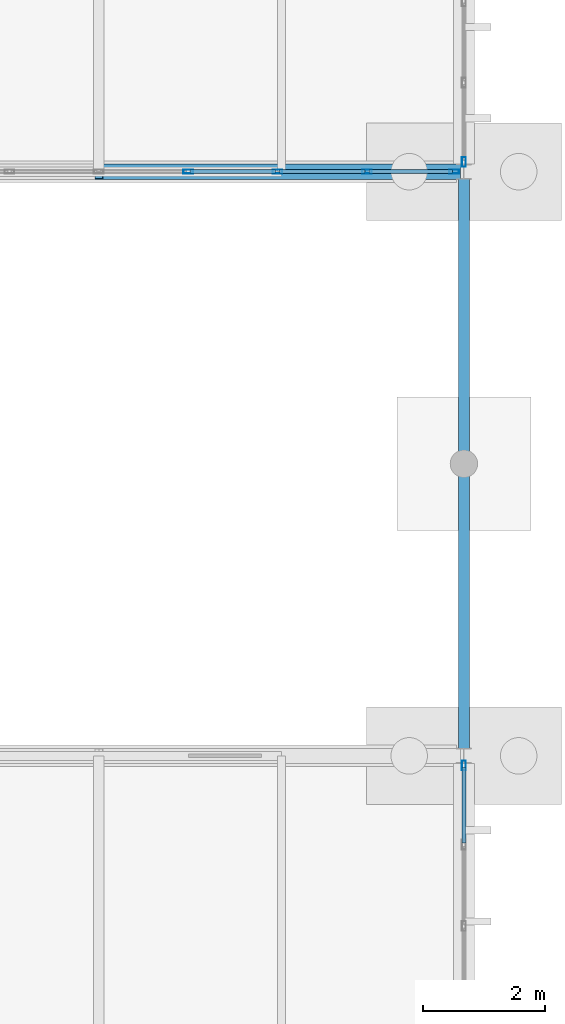
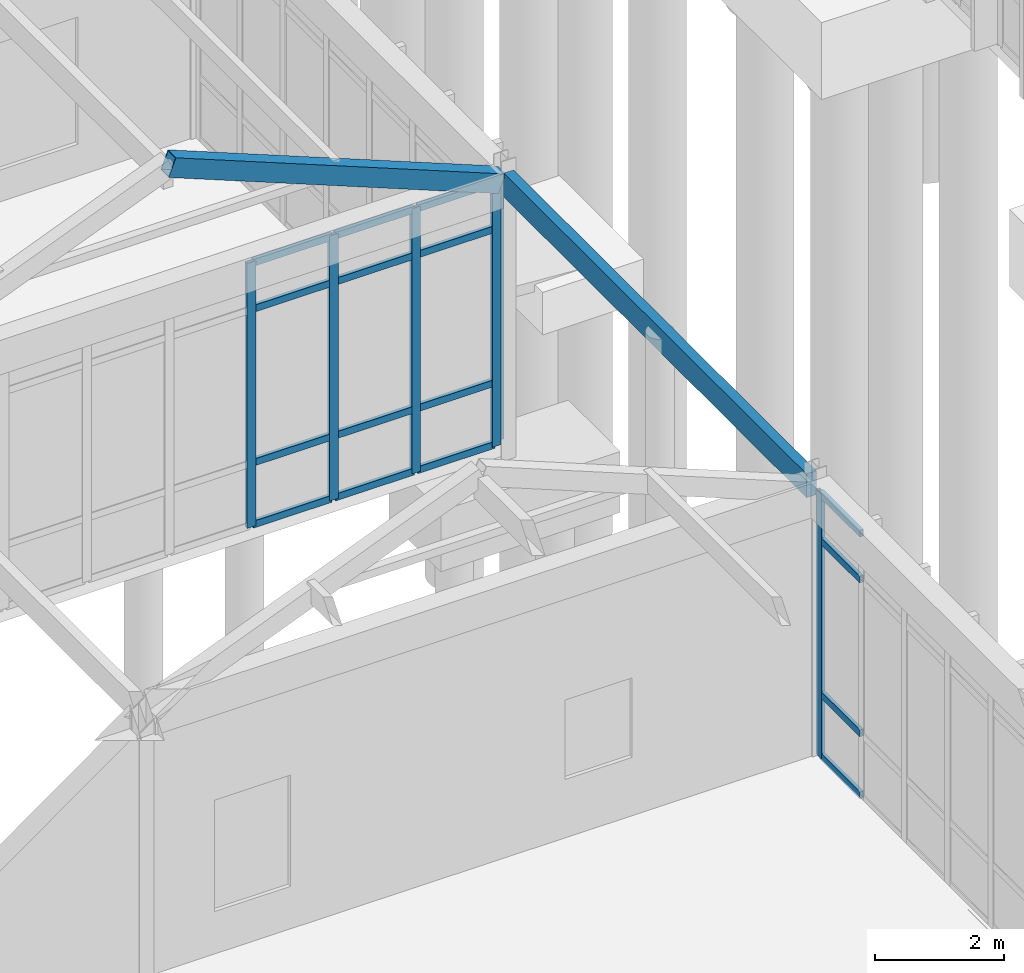
# One storey, part 50 of 188: 24 members, 3 elements without a shape of their own.
"""IFC4 building model written with IfcOpenShell, lengths in metres."""

from ifc_helpers import new_model, si_unit, direction, frame, origin, origin_2d, place, context, subcontext, project, spatial, rectangle, hollow_rectangle, extrude, material, layer, layer_set, material_profile, profile_set, type_object, element, aggregate, save


model = new_model("IFC4")

# Units and contexts
model_context = context("Model", 3, precision=1e-05, world=origin(), true_north=direction((0.0, 1.0)))
body_context = subcontext(model_context, "Body", "Model", "MODEL_VIEW")
ifc_project = project(units=[si_unit("LENGTHUNIT", "METRE"), si_unit("AREAUNIT", "SQUARE_METRE"), si_unit("VOLUMEUNIT", "CUBIC_METRE"), si_unit("PLANEANGLEUNIT", "RADIAN"), si_unit("MASSUNIT", "GRAM", prefix="KILO")], contexts=[model_context])

# Site, building, storey
site_placement = place(None, origin())
site = spatial("IfcSite", under=ifc_project, at=site_placement, CompositionType="ELEMENT")
building_placement = place(site_placement, origin())
building = spatial("IfcBuilding", under=site, at=building_placement, Name="Pandanus Reach Market Hall", CompositionType="ELEMENT")
storey_placement = place(building_placement, origin())
storey = spatial("IfcBuildingStorey", under=building, at=storey_placement, Name="L00", CompositionType="ELEMENT", Elevation=0.0)

# Curtain wall, member
ifc_material_1 = material(Name="Bronze anodised aluminium and low-E glass", Category="aluminium")
ifc_layer_1 = layer(ifc_material_1, 0.159912109375, Name="CW-08")
ifc_layer_set_1 = layer_set([ifc_layer_1], Name="Bronze anodised aluminium and low-E glass")
curtain_wall_type_1 = type_object("IfcCurtainWallType", Name="CW-08", PredefinedType="NOTDEFINED", material=ifc_layer_set_1)
curtain_wall_1_placement = place(storey_placement, origin())
curtain_wall_1 = element("IfcCurtainWall", 1, at=curtain_wall_1_placement, inside=storey, type_object=curtain_wall_type_1, Name="Glazed curtain wall CW-08 CW-0040", PredefinedType="NOTDEFINED")
ifc_material_2 = material(Name="Bronze anodised aluminium", Category="aluminium")
ifc_material_profile_1 = material_profile(ifc_material_2, hollow_rectangle(XDim=0.06494140625, YDim=0.159912109375, WallThickness=0.00390625, at=origin_2d()), Name="ALU65x160", Category="LoadBearing")
ifc_profile_set_1 = profile_set([ifc_material_profile_1], Name="Bronze anodised aluminium")
member_type_1 = type_object("IfcMemberType", Name="CW-M1", PredefinedType="MULLION", material=ifc_profile_set_1)
member_1_placement = place(storey_placement, frame((36.0, 47.840576171875, 0.0), z_axis=(0.0, 0.0, 1.0), x_axis=(-1.0, 0.0, 0.0)))
member_1 = element("IfcMember", 2, at=member_1_placement, type_object=member_type_1, Name="CW-08 mullion 8", PredefinedType="MULLION", context=body_context, shape_type="SweptSolid", body=[
    extrude(hollow_rectangle(XDim=0.06494140625, YDim=0.159912109375, WallThickness=0.00390625, at=origin_2d()), origin(), (0.0, 0.0, 1.0), 5.0),
])

# Curtain wall, members
ifc_layer_2 = layer(ifc_material_1, 0.159912109375, Name="CW-07")
ifc_layer_set_2 = layer_set([ifc_layer_2], Name="Bronze anodised aluminium and low-E glass")
curtain_wall_type_2 = type_object("IfcCurtainWallType", Name="CW-07", PredefinedType="NOTDEFINED", material=ifc_layer_set_2)
curtain_wall_2_placement = place(storey_placement, origin())
curtain_wall_2 = element("IfcCurtainWall", 3, at=curtain_wall_2_placement, inside=storey, type_object=curtain_wall_type_2, Name="Glazed curtain wall CW-07 CW-0042", PredefinedType="NOTDEFINED")
member_2_placement = place(storey_placement, frame((31.46826171875, 57.60009765625, 0.0), z_axis=(0.0, 0.0, 1.0), x_axis=(0.0, 1.0, 0.0)))
member_2 = element("IfcMember", 4, at=member_2_placement, type_object=member_type_1, Name="CW-07 mullion 6", PredefinedType="MULLION", context=body_context, shape_type="SweptSolid", body=[
    extrude(hollow_rectangle(XDim=0.06494140625, YDim=0.159912109375, WallThickness=0.00390625, at=origin_2d()), origin(), (0.0, 0.0, 1.0), 5.0),
])
member_3_placement = place(storey_placement, frame((32.9365234375, 57.60009765625, 0.0), z_axis=(0.0, 0.0, 1.0), x_axis=(0.0, 1.0, 0.0)))
member_3 = element("IfcMember", 5, at=member_3_placement, type_object=member_type_1, Name="CW-07 mullion 7", PredefinedType="MULLION", context=body_context, shape_type="SweptSolid", body=[
    extrude(hollow_rectangle(XDim=0.06494140625, YDim=0.159912109375, WallThickness=0.00390625, at=origin_2d()), origin(), (0.0, 0.0, 1.0), 5.0),
])
member_4_placement = place(storey_placement, frame((34.40478515625, 57.60009765625, 0.0), z_axis=(0.0, 0.0, 1.0), x_axis=(0.0, 1.0, 0.0)))
member_4 = element("IfcMember", 6, at=member_4_placement, type_object=member_type_1, Name="CW-07 mullion 8", PredefinedType="MULLION", context=body_context, shape_type="SweptSolid", body=[
    extrude(hollow_rectangle(XDim=0.06494140625, YDim=0.159912109375, WallThickness=0.00390625, at=origin_2d()), origin(), (0.0, 0.0, 1.0), 5.0),
])
member_5_placement = place(storey_placement, frame((35.840576171875, 57.60009765625, 0.0), z_axis=(0.0, 0.0, 1.0), x_axis=(0.0, 1.0, 0.0)))
member_5 = element("IfcMember", 7, at=member_5_placement, type_object=member_type_1, Name="CW-07 mullion 9", PredefinedType="MULLION", context=body_context, shape_type="SweptSolid", body=[
    extrude(hollow_rectangle(XDim=0.06494140625, YDim=0.159912109375, WallThickness=0.00390625, at=origin_2d()), origin(), (0.0, 0.0, 1.0), 5.0),
])

# Curtain wall, member
curtain_wall_3_placement = place(storey_placement, origin())
curtain_wall_3 = element("IfcCurtainWall", 8, at=curtain_wall_3_placement, inside=storey, type_object=curtain_wall_type_1, Name="Glazed curtain wall CW-08 CW-0043", PredefinedType="NOTDEFINED")
member_6_placement = place(storey_placement, frame((36.0, 57.759521484375, 0.0), z_axis=(0.0, 0.0, 1.0), x_axis=(-1.0, 0.0, 0.0)))
member_6 = element("IfcMember", 9, at=member_6_placement, type_object=member_type_1, Name="CW-08 mullion 1", PredefinedType="MULLION", context=body_context, shape_type="SweptSolid", body=[
    extrude(hollow_rectangle(XDim=0.06494140625, YDim=0.159912109375, WallThickness=0.00390625, at=origin_2d()), origin(), (0.0, 0.0, 1.0), 5.0),
])
aggregate(curtain_wall_3, [member_6])

# Member
ifc_material_profile_2 = material_profile(ifc_material_2, hollow_rectangle(XDim=0.06494140625, YDim=0.1298828125, WallThickness=0.00390625, at=origin_2d()), Name="ALU65x130", Category="LoadBearing")
ifc_profile_set_2 = profile_set([ifc_material_profile_2], Name="Bronze anodised aluminium")
member_type_2 = type_object("IfcMemberType", Name="CW-T1", PredefinedType="USERDEFINED", material=ifc_profile_set_2)
member_7_placement = place(storey_placement, frame((36.0, 46.5703125, 0.032470703125), z_axis=(0.0, 1.0, 0.0), x_axis=(-1.0, 0.0, 0.0)))
member_7 = element("IfcMember", 10, at=member_7_placement, type_object=member_type_2, Name="CW-08 transom 7.1", ObjectType="TRANSOM", PredefinedType="USERDEFINED", context=body_context, shape_type="SweptSolid", body=[
    extrude(hollow_rectangle(XDim=0.06494140625, YDim=0.1298828125, WallThickness=0.00390625, at=origin_2d()), origin(), (0.0, 0.0, 1.0), 1.23779296875),
])

member_8_placement = place(storey_placement, frame((36.0, 46.5703125, 1.199951171875), z_axis=(0.0, 1.0, 0.0), x_axis=(-1.0, 0.0, 0.0)))
member_8 = element("IfcMember", 11, at=member_8_placement, type_object=member_type_2, Name="CW-08 transom 7.2", ObjectType="TRANSOM", PredefinedType="USERDEFINED", context=body_context, shape_type="SweptSolid", body=[
    extrude(hollow_rectangle(XDim=0.06494140625, YDim=0.1298828125, WallThickness=0.00390625, at=origin_2d()), origin(), (0.0, 0.0, 1.0), 1.23779296875),
])

member_9_placement = place(storey_placement, frame((36.0, 46.5703125, 4.10009765625), z_axis=(0.0, 1.0, 0.0), x_axis=(-1.0, 0.0, 0.0)))
member_9 = element("IfcMember", 12, at=member_9_placement, type_object=member_type_2, Name="CW-08 transom 7.3", ObjectType="TRANSOM", PredefinedType="USERDEFINED", context=body_context, shape_type="SweptSolid", body=[
    extrude(hollow_rectangle(XDim=0.06494140625, YDim=0.1298828125, WallThickness=0.00390625, at=origin_2d()), origin(), (0.0, 0.0, 1.0), 1.23779296875),
])

member_10_placement = place(storey_placement, frame((36.0, 46.5703125, 4.967529296875), z_axis=(0.0, 1.0, 0.0), x_axis=(-1.0, 0.0, 0.0)))
member_10 = element("IfcMember", 13, at=member_10_placement, type_object=member_type_2, Name="CW-08 transom 7.4", ObjectType="TRANSOM", PredefinedType="USERDEFINED", context=body_context, shape_type="SweptSolid", body=[
    extrude(hollow_rectangle(XDim=0.06494140625, YDim=0.1298828125, WallThickness=0.00390625, at=origin_2d()), origin(), (0.0, 0.0, 1.0), 1.23779296875),
])

aggregate(curtain_wall_1, [member_1, member_7, member_8, member_9, member_10])

member_11_placement = place(storey_placement, frame((31.500732421875, 57.60009765625, 0.032470703125), z_axis=(1.0, 0.0, 0.0), x_axis=(0.0, 1.0, 0.0)))
member_11 = element("IfcMember", 14, at=member_11_placement, type_object=member_type_2, Name="CW-07 transom 6.1", ObjectType="TRANSOM", PredefinedType="USERDEFINED", context=body_context, shape_type="SweptSolid", body=[
    extrude(hollow_rectangle(XDim=0.06494140625, YDim=0.1298828125, WallThickness=0.00390625, at=origin_2d()), origin(), (0.0, 0.0, 1.0), 1.4033203125),
])

member_12_placement = place(storey_placement, frame((31.500732421875, 57.60009765625, 1.199951171875), z_axis=(1.0, 0.0, 0.0), x_axis=(0.0, 1.0, 0.0)))
member_12 = element("IfcMember", 15, at=member_12_placement, type_object=member_type_2, Name="CW-07 transom 6.2", ObjectType="TRANSOM", PredefinedType="USERDEFINED", context=body_context, shape_type="SweptSolid", body=[
    extrude(hollow_rectangle(XDim=0.06494140625, YDim=0.1298828125, WallThickness=0.00390625, at=origin_2d()), origin(), (0.0, 0.0, 1.0), 1.4033203125),
])

member_13_placement = place(storey_placement, frame((31.500732421875, 57.60009765625, 4.10009765625), z_axis=(1.0, 0.0, 0.0), x_axis=(0.0, 1.0, 0.0)))
member_13 = element("IfcMember", 16, at=member_13_placement, type_object=member_type_2, Name="CW-07 transom 6.3", ObjectType="TRANSOM", PredefinedType="USERDEFINED", context=body_context, shape_type="SweptSolid", body=[
    extrude(hollow_rectangle(XDim=0.06494140625, YDim=0.1298828125, WallThickness=0.00390625, at=origin_2d()), origin(), (0.0, 0.0, 1.0), 1.4033203125),
])

member_14_placement = place(storey_placement, frame((31.500732421875, 57.60009765625, 4.967529296875), z_axis=(1.0, 0.0, 0.0), x_axis=(0.0, 1.0, 0.0)))
member_14 = element("IfcMember", 17, at=member_14_placement, type_object=member_type_2, Name="CW-07 transom 6.4", ObjectType="TRANSOM", PredefinedType="USERDEFINED", context=body_context, shape_type="SweptSolid", body=[
    extrude(hollow_rectangle(XDim=0.06494140625, YDim=0.1298828125, WallThickness=0.00390625, at=origin_2d()), origin(), (0.0, 0.0, 1.0), 1.4033203125),
])

member_15_placement = place(storey_placement, frame((32.968994140625, 57.60009765625, 0.032470703125), z_axis=(1.0, 0.0, 0.0), x_axis=(0.0, 1.0, 0.0)))
member_15 = element("IfcMember", 18, at=member_15_placement, type_object=member_type_2, Name="CW-07 transom 7.1", ObjectType="TRANSOM", PredefinedType="USERDEFINED", context=body_context, shape_type="SweptSolid", body=[
    extrude(hollow_rectangle(XDim=0.06494140625, YDim=0.1298828125, WallThickness=0.00390625, at=origin_2d()), origin(), (0.0, 0.0, 1.0), 1.4033203125),
])

member_16_placement = place(storey_placement, frame((32.968994140625, 57.60009765625, 1.199951171875), z_axis=(1.0, 0.0, 0.0), x_axis=(0.0, 1.0, 0.0)))
member_16 = element("IfcMember", 19, at=member_16_placement, type_object=member_type_2, Name="CW-07 transom 7.2", ObjectType="TRANSOM", PredefinedType="USERDEFINED", context=body_context, shape_type="SweptSolid", body=[
    extrude(hollow_rectangle(XDim=0.06494140625, YDim=0.1298828125, WallThickness=0.00390625, at=origin_2d()), origin(), (0.0, 0.0, 1.0), 1.4033203125),
])

member_17_placement = place(storey_placement, frame((32.968994140625, 57.60009765625, 4.10009765625), z_axis=(1.0, 0.0, 0.0), x_axis=(0.0, 1.0, 0.0)))
member_17 = element("IfcMember", 20, at=member_17_placement, type_object=member_type_2, Name="CW-07 transom 7.3", ObjectType="TRANSOM", PredefinedType="USERDEFINED", context=body_context, shape_type="SweptSolid", body=[
    extrude(hollow_rectangle(XDim=0.06494140625, YDim=0.1298828125, WallThickness=0.00390625, at=origin_2d()), origin(), (0.0, 0.0, 1.0), 1.4033203125),
])

member_18_placement = place(storey_placement, frame((32.968994140625, 57.60009765625, 4.967529296875), z_axis=(1.0, 0.0, 0.0), x_axis=(0.0, 1.0, 0.0)))
member_18 = element("IfcMember", 21, at=member_18_placement, type_object=member_type_2, Name="CW-07 transom 7.4", ObjectType="TRANSOM", PredefinedType="USERDEFINED", context=body_context, shape_type="SweptSolid", body=[
    extrude(hollow_rectangle(XDim=0.06494140625, YDim=0.1298828125, WallThickness=0.00390625, at=origin_2d()), origin(), (0.0, 0.0, 1.0), 1.4033203125),
])

member_19_placement = place(storey_placement, frame((34.437255859375, 57.60009765625, 0.032470703125), z_axis=(1.0, 0.0, 0.0), x_axis=(0.0, 1.0, 0.0)))
member_19 = element("IfcMember", 22, at=member_19_placement, type_object=member_type_2, Name="CW-07 transom 8.1", ObjectType="TRANSOM", PredefinedType="USERDEFINED", context=body_context, shape_type="SweptSolid", body=[
    extrude(hollow_rectangle(XDim=0.06494140625, YDim=0.1298828125, WallThickness=0.00390625, at=origin_2d()), origin(), (0.0, 0.0, 1.0), 1.370849609375),
])

member_20_placement = place(storey_placement, frame((34.437255859375, 57.60009765625, 1.199951171875), z_axis=(1.0, 0.0, 0.0), x_axis=(0.0, 1.0, 0.0)))
member_20 = element("IfcMember", 23, at=member_20_placement, type_object=member_type_2, Name="CW-07 transom 8.2", ObjectType="TRANSOM", PredefinedType="USERDEFINED", context=body_context, shape_type="SweptSolid", body=[
    extrude(hollow_rectangle(XDim=0.06494140625, YDim=0.1298828125, WallThickness=0.00390625, at=origin_2d()), origin(), (0.0, 0.0, 1.0), 1.370849609375),
])

member_21_placement = place(storey_placement, frame((34.437255859375, 57.60009765625, 4.10009765625), z_axis=(1.0, 0.0, 0.0), x_axis=(0.0, 1.0, 0.0)))
member_21 = element("IfcMember", 24, at=member_21_placement, type_object=member_type_2, Name="CW-07 transom 8.3", ObjectType="TRANSOM", PredefinedType="USERDEFINED", context=body_context, shape_type="SweptSolid", body=[
    extrude(hollow_rectangle(XDim=0.06494140625, YDim=0.1298828125, WallThickness=0.00390625, at=origin_2d()), origin(), (0.0, 0.0, 1.0), 1.370849609375),
])

member_22_placement = place(storey_placement, frame((34.437255859375, 57.60009765625, 4.967529296875), z_axis=(1.0, 0.0, 0.0), x_axis=(0.0, 1.0, 0.0)))
member_22 = element("IfcMember", 25, at=member_22_placement, type_object=member_type_2, Name="CW-07 transom 8.4", ObjectType="TRANSOM", PredefinedType="USERDEFINED", context=body_context, shape_type="SweptSolid", body=[
    extrude(hollow_rectangle(XDim=0.06494140625, YDim=0.1298828125, WallThickness=0.00390625, at=origin_2d()), origin(), (0.0, 0.0, 1.0), 1.370849609375),
])

aggregate(curtain_wall_2, [member_2, member_3, member_4, member_5, member_11, member_12, member_13, member_14, member_15, member_16, member_17, member_18, member_19, member_20, member_21, member_22])

# Members
ifc_material_3 = material(Name="Glulam timber GL17", Category="wood")
ifc_material_profile_3 = material_profile(ifc_material_3, rectangle(XDim=0.175048828125, YDim=0.449951171875, at=origin_2d()), Name="GL175x450", Category="LoadBearing")
ifc_profile_set_3 = profile_set([ifc_material_profile_3], Name="Glulam timber GL17")
member_type_3 = type_object("IfcMemberType", Name="PR-GL175-E", PredefinedType="PURLIN", material=ifc_profile_set_3)
member_23_placement = place(storey_placement, frame((36.0, 48.1201171875, 4.949951171875), z_axis=(0.0, 1.0, 0.0), x_axis=(-1.0, 0.0, 0.0)))
element("IfcMember", 26, at=member_23_placement, inside=storey, type_object=member_type_3, Name="Breezeway glulam purlin 1.36", PredefinedType="PURLIN", context=body_context, shape_type="SweptSolid", body=[
    extrude(rectangle(XDim=0.175048828125, YDim=0.449951171875, at=origin_2d()), origin(), (0.0, 0.0, 1.0), 9.35986328125),
])
ifc_material_4 = material(Name="Steel Grade 350 (350 MPa)", Category="steel")
ifc_material_profile_4 = material_profile(ifc_material_4, hollow_rectangle(XDim=0.25, YDim=0.35009765625, WallThickness=0.012451171875, at=origin_2d()), Name="350x250x12.5RHS", Category="LoadBearing")
ifc_profile_set_4 = profile_set([ifc_material_profile_4], Name="Steel Grade 350 (350 MPa)")
member_type_4 = type_object("IfcMemberType", Name="RF-RHS350-E", PredefinedType="RAFTER", material=ifc_profile_set_4)
member_24_placement = place(storey_placement, frame((30.0, 57.60009765625, 7.3486328125), z_axis=(0.927845665363, 0.0, -0.372964369971), x_axis=(0.0, 1.0, 0.0)))
element("IfcMember", 27, at=member_24_placement, inside=storey, type_object=member_type_4, Name="Steep gable rafter R2.B3E", PredefinedType="RAFTER", context=body_context, shape_type="SweptSolid", body=[
    extrude(hollow_rectangle(XDim=0.25, YDim=0.35009765625, WallThickness=0.012451171875, at=origin_2d()), origin(), (0.0, 0.0, 1.0), 6.337158203125),
])

save(model, "model.ifc")
